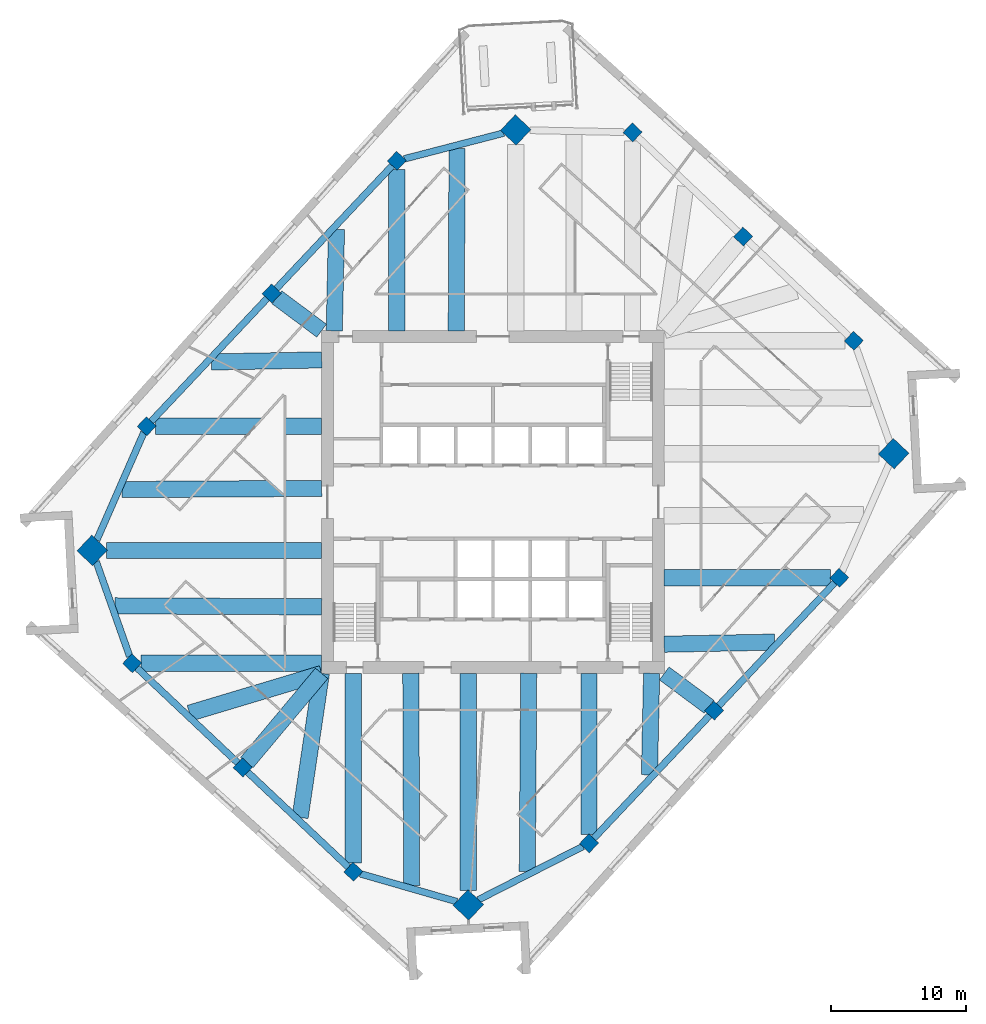
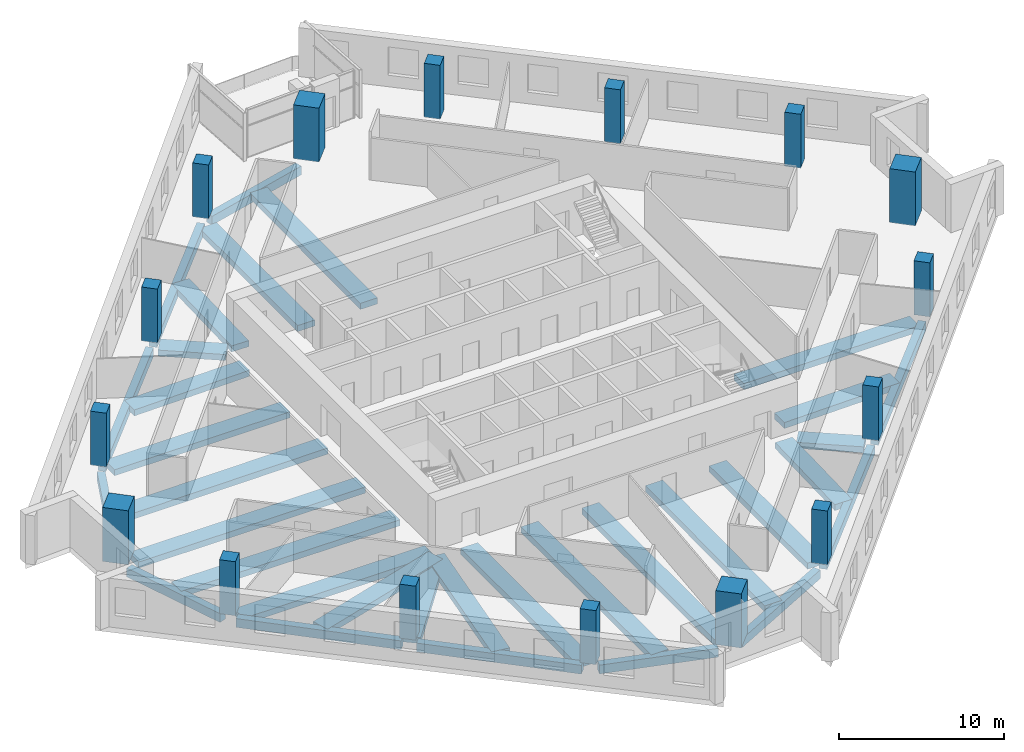
# One storey, part 1 of 12: 33 beams, 16 columns.
"""IFC4 building model written with IfcOpenShell, lengths in metres."""

from ifc_helpers import new_model, si_unit, direction, frame, origin, origin_2d, place, context, subcontext, project, spatial, rectangle, extrude, material, material_profile, profile_set, type_object, element, save


model = new_model("IFC4")

# Units and contexts
model_context = context("Model", 3, precision=1e-05, world=origin(), true_north=direction((0.0, 1.0)))
body_context = subcontext(model_context, "Body", "Model", "MODEL_VIEW")
ifc_project = project(units=[si_unit("LENGTHUNIT", "METRE"), si_unit("AREAUNIT", "SQUARE_METRE"), si_unit("VOLUMEUNIT", "CUBIC_METRE"), si_unit("PLANEANGLEUNIT", "RADIAN"), si_unit("MASSUNIT", "GRAM", prefix="KILO")], contexts=[model_context])

# Site, building, storey
site_placement = place(None, origin())
site = spatial("IfcSite", under=ifc_project, at=site_placement, CompositionType="ELEMENT")
building_placement = place(site_placement, origin())
building = spatial("IfcBuilding", under=site, at=building_placement, Name="Dilmun Exchange Tower", CompositionType="ELEMENT")
storey_placement = place(building_placement, frame((0.0, 0.0, 221.300048828125)))
storey = spatial("IfcBuildingStorey", under=building, at=storey_placement, Name="L52", CompositionType="ELEMENT", Elevation=221.300048828125)

# Columns
ifc_material_1 = material(Name="Concrete C60/75", Category="concrete")
ifc_material_profile_1 = material_profile(ifc_material_1, rectangle(XDim=1.60009765625, YDim=1.60009765625, at=origin_2d()), Name="1600 x 1600")
ifc_profile_set_1 = profile_set([ifc_material_profile_1], Name="Concrete C60/75")
column_type_1 = type_object("IfcColumnType", Name="RC mega column 1600 x 1600 C60/75", PredefinedType="COLUMN", material=ifc_profile_set_1)
for number, where, z_axis, x_axis, name in (
    (1, (1.68505859375, 27.5380859375, 0.0), (0.0, 0.0, 1.0), (0.685916152371, 0.727680583715, 0.0), "Mega column M1"),
    (2, (-29.658935546875, -3.58203125, 0.0), (0.0, 0.0, 1.0), (0.685916152371, 0.727680583715, 0.0), "Mega column M2"),
    (3, (-1.824951171875, -29.818115234375, 0.0), (0.0, 0.0, 1.0), (0.685916152371, 0.727680583715, 0.0), "Mega column M3"),
    (4, (29.658935546875, 3.58203125, 0.0), (0.0, 0.0, 1.0), (0.685916152371, 0.727680583715, 0.0), "Mega column M4"),
):
    element("IfcColumn", number, at=place(storey_placement, frame(where, z_axis=z_axis, x_axis=x_axis)), inside=storey, type_object=column_type_1, Name=name, PredefinedType="COLUMN", context=body_context, shape_type="SweptSolid", body=[
        extrude(rectangle(XDim=1.60009765625, YDim=1.60009765625, at=origin_2d()), origin(), (0.0, 0.0, 1.0), 4.0),
    ])
ifc_material_profile_2 = material_profile(ifc_material_1, rectangle(XDim=1.0, YDim=1.0, at=origin_2d()), Name="1000 x 1000")
ifc_profile_set_2 = profile_set([ifc_material_profile_2], Name="Concrete C60/75")
column_type_2 = type_object("IfcColumnType", Name="RC ring column 1000 x 1000 C60/75", PredefinedType="COLUMN", material=ifc_profile_set_2)
for number, where, z_axis, x_axis, name in (
    (5, (-7.113037109375, 25.257080078125, 0.0), (0.0, 0.0, 1.0), (0.685916152371, 0.727680583715, 0.0), "Ring column R01"),
    (6, (-16.373046875, 15.43310546875, 0.0), (0.0, 0.0, 1.0), (0.685916152371, 0.727680583715, 0.0), "Ring column R02"),
    (7, (-25.633056640625, 5.60888671875, 0.0), (0.0, 0.0, 1.0), (0.685916152371, 0.727680583715, 0.0), "Ring column R03"),
    (8, (-26.7060546875, -11.930908203125, 0.0), (0.0, 0.0, 1.0), (0.685916152371, 0.727680583715, 0.0), "Ring column R04"),
    (9, (-18.52001953125, -19.64697265625, 0.0), (0.0, 0.0, 1.0), (0.685916152371, 0.727680583715, 0.0), "Ring column R05"),
    (10, (-10.3330078125, -27.364013671875, 0.0), (0.0, 0.0, 1.0), (0.685916152371, 0.727680583715, 0.0), "Ring column R06"),
    (11, (7.113037109375, -25.257080078125, 0.0), (0.0, 0.0, 1.0), (0.685916152371, 0.727680583715, 0.0), "Ring column R07"),
    (12, (16.373046875, -15.43310546875, 0.0), (0.0, 0.0, 1.0), (0.685916152371, 0.727680583715, 0.0), "Ring column R08"),
    (13, (25.633056640625, -5.60888671875, 0.0), (0.0, 0.0, 1.0), (0.685916152371, 0.727680583715, 0.0), "Ring column R09"),
    (14, (26.7060546875, 11.930908203125, 0.0), (0.0, 0.0, 1.0), (0.685916152371, 0.727680583715, 0.0), "Ring column R10"),
    (15, (18.52001953125, 19.64697265625, 0.0), (0.0, 0.0, 1.0), (0.685916152371, 0.727680583715, 0.0), "Ring column R11"),
    (16, (10.3330078125, 27.364013671875, 0.0), (0.0, 0.0, 1.0), (0.685916152371, 0.727680583715, 0.0), "Ring column R12"),
):
    element("IfcColumn", number, at=place(storey_placement, frame(where, z_axis=z_axis, x_axis=x_axis)), inside=storey, type_object=column_type_2, Name=name, PredefinedType="COLUMN", context=body_context, shape_type="SweptSolid", body=[
        extrude(rectangle(XDim=1.0, YDim=1.0, at=origin_2d()), origin(), (0.0, 0.0, 1.0), 4.0),
    ])

# Beams
ifc_material_2 = material(Name="Concrete C40/50", Category="concrete")
ifc_material_profile_3 = material_profile(ifc_material_2, rectangle(XDim=1.199951171875, YDim=0.449951171875, at=origin_2d()), Name="1200 x 450")
ifc_profile_set_3 = profile_set([ifc_material_profile_3], Name="Concrete C40/50")
beam_type_1 = type_object("IfcBeamType", Name="RC band beam 1200 x 450 C40/50", PredefinedType="BEAM", material=ifc_profile_set_3)
beam_1_placement = place(storey_placement, frame((-7.113037109375, 24.596923828125, -0.705078125), z_axis=(0.0, -1.0, 0.0), x_axis=(1.0, 0.0, 0.0)))
element("IfcBeam", 17, at=beam_1_placement, inside=storey, type_object=beam_type_1, Name="Band beam 2", PredefinedType="BEAM", context=body_context, shape_type="SweptSolid", body=[
    extrude(rectangle(XDim=1.199951171875, YDim=0.449951171875, at=origin_2d()), origin(), (0.0, 0.0, 1.0), 11.923828125),
])
beam_2_placement = place(storey_placement, frame((-15.99072265625, 15.148681640625, -0.705078125), z_axis=(0.802264832552, -0.596968289317, 0.0), x_axis=(0.596968289317, 0.802264832552, 0.0)))
element("IfcBeam", 18, at=beam_2_placement, inside=storey, type_object=beam_type_1, Name="Band beam 3", PredefinedType="BEAM", context=body_context, shape_type="SweptSolid", body=[
    extrude(rectangle(XDim=1.199951171875, YDim=0.449951171875, at=origin_2d()), origin(), (0.0, 0.0, 1.0), 4.12890625),
])
beam_3_placement = place(storey_placement, frame((-24.972900390625, 5.60888671875, -0.705078125), z_axis=(1.0, 0.0, 0.0), x_axis=(0.0, 1.0, 0.0)))
element("IfcBeam", 19, at=beam_3_placement, inside=storey, type_object=beam_type_1, Name="Band beam 4", PredefinedType="BEAM", context=body_context, shape_type="SweptSolid", body=[
    extrude(rectangle(XDim=1.199951171875, YDim=0.449951171875, at=origin_2d()), origin(), (0.0, 0.0, 1.0), 12.2998046875),
])
beam_4_placement = place(storey_placement, frame((-28.586669921875, -3.58203125, -0.705078125), z_axis=(1.0, 0.0, 0.0), x_axis=(0.0, 1.0, 0.0)))
element("IfcBeam", 20, at=beam_4_placement, inside=storey, type_object=beam_type_1, Name="Band beam 5", PredefinedType="BEAM", context=body_context, shape_type="SweptSolid", body=[
    extrude(rectangle(XDim=1.199951171875, YDim=0.449951171875, at=origin_2d()), origin(), (0.0, 0.0, 1.0), 15.91357421875),
])
beam_5_placement = place(storey_placement, frame((-26.0458984375, -11.930908203125, -0.705078125), z_axis=(1.0, 0.0, 0.0), x_axis=(0.0, 1.0, 0.0)))
element("IfcBeam", 21, at=beam_5_placement, inside=storey, type_object=beam_type_1, Name="Band beam 6", PredefinedType="BEAM", context=body_context, shape_type="SweptSolid", body=[
    extrude(rectangle(XDim=1.199951171875, YDim=0.449951171875, at=origin_2d()), origin(), (0.0, 0.0, 1.0), 13.372802734375),
])
beam_6_placement = place(storey_placement, frame((-18.2158203125, -19.28369140625, -0.705078125), z_axis=(0.642200063897, 0.766537068856, 0.0), x_axis=(-0.766537068856, 0.642200063897, 0.0)))
element("IfcBeam", 22, at=beam_6_placement, inside=storey, type_object=beam_type_1, Name="Band beam 7", PredefinedType="BEAM", context=body_context, shape_type="SweptSolid", body=[
    extrude(rectangle(XDim=1.199951171875, YDim=0.449951171875, at=origin_2d()), origin(), (0.0, 0.0, 1.0), 8.615966796875),
])
beam_7_placement = place(storey_placement, frame((-10.3330078125, -26.703857421875, -0.705078125), z_axis=(0.0, 1.0, 0.0), x_axis=(-1.0, 0.0, 0.0)))
element("IfcBeam", 23, at=beam_7_placement, inside=storey, type_object=beam_type_1, Name="Band beam 8", PredefinedType="BEAM", context=body_context, shape_type="SweptSolid", body=[
    extrude(rectangle(XDim=1.199951171875, YDim=0.449951171875, at=origin_2d()), origin(), (0.0, 0.0, 1.0), 14.03076171875),
])
beam_8_placement = place(storey_placement, frame((-1.824951171875, -28.74560546875, -0.705078125), z_axis=(0.0, 1.0, 0.0), x_axis=(-1.0, 0.0, 0.0)))
element("IfcBeam", 24, at=beam_8_placement, inside=storey, type_object=beam_type_1, Name="Band beam 9", PredefinedType="BEAM", context=body_context, shape_type="SweptSolid", body=[
    extrude(rectangle(XDim=1.199951171875, YDim=0.449951171875, at=origin_2d()), origin(), (0.0, 0.0, 1.0), 16.072509765625),
])
beam_9_placement = place(storey_placement, frame((7.113037109375, -24.596923828125, -0.705078125), z_axis=(0.0, 1.0, 0.0), x_axis=(-1.0, 0.0, 0.0)))
element("IfcBeam", 25, at=beam_9_placement, inside=storey, type_object=beam_type_1, Name="Band beam 10", PredefinedType="BEAM", context=body_context, shape_type="SweptSolid", body=[
    extrude(rectangle(XDim=1.199951171875, YDim=0.449951171875, at=origin_2d()), origin(), (0.0, 0.0, 1.0), 11.923828125),
])
beam_10_placement = place(storey_placement, frame((15.99072265625, -15.148681640625, -0.705078125), z_axis=(-0.802264832552, 0.596968289317, 0.0), x_axis=(-0.596968289317, -0.802264832552, 0.0)))
element("IfcBeam", 26, at=beam_10_placement, inside=storey, type_object=beam_type_1, Name="Band beam 11", PredefinedType="BEAM", context=body_context, shape_type="SweptSolid", body=[
    extrude(rectangle(XDim=1.199951171875, YDim=0.449951171875, at=origin_2d()), origin(), (0.0, 0.0, 1.0), 4.12890625),
])
beam_11_placement = place(storey_placement, frame((24.972900390625, -5.60888671875, -0.705078125), z_axis=(-1.0, 0.0, 0.0), x_axis=(0.0, -1.0, 0.0)))
element("IfcBeam", 27, at=beam_11_placement, inside=storey, type_object=beam_type_1, Name="Band beam 12", PredefinedType="BEAM", context=body_context, shape_type="SweptSolid", body=[
    extrude(rectangle(XDim=1.199951171875, YDim=0.449951171875, at=origin_2d()), origin(), (0.0, 0.0, 1.0), 12.2998046875),
])
beam_12_placement = place(storey_placement, frame((-2.657958984375, 26.181640625, -0.60498046875), z_axis=(-0.004156765881, -0.999991360611, 0.0), x_axis=(0.999991360611, -0.004156765881, 0.0)))
element("IfcBeam", 28, at=beam_12_placement, inside=storey, type_object=beam_type_1, Name="Band beam 17", PredefinedType="BEAM", context=body_context, shape_type="SweptSolid", body=[
    extrude(rectangle(XDim=1.199951171875, YDim=0.449951171875, at=origin_2d()), origin(), (0.0, 0.0, 1.0), 13.508544921875),
])
beam_13_placement = place(storey_placement, frame((-11.580810546875, 20.19189453125, -0.60498046875), z_axis=(-0.021555532074, -0.999767652526, 0.0), x_axis=(0.999767652526, -0.021555532074, 0.0)))
element("IfcBeam", 29, at=beam_13_placement, inside=storey, type_object=beam_type_1, Name="Band beam 18", PredefinedType="BEAM", context=body_context, shape_type="SweptSolid", body=[
    extrude(rectangle(XDim=1.199951171875, YDim=0.449951171875, at=origin_2d()), origin(), (0.0, 0.0, 1.0), 7.5205078125),
])
beam_14_placement = place(storey_placement, frame((-20.8408203125, 10.367919921875, -0.60498046875), z_axis=(0.999824422594, 0.018738302585, 0.0), x_axis=(-0.018738302585, 0.999824422594, 0.0)))
element("IfcBeam", 30, at=beam_14_placement, inside=storey, type_object=beam_type_1, Name="Band beam 19", PredefinedType="BEAM", context=body_context, shape_type="SweptSolid", body=[
    extrude(rectangle(XDim=1.199951171875, YDim=0.449951171875, at=origin_2d()), origin(), (0.0, 0.0, 1.0), 8.169189453125),
])
beam_15_placement = place(storey_placement, frame((-27.441650390625, 0.924072265625, -0.60498046875), z_axis=(0.999981696912, 0.006050276087, 0.0), x_axis=(-0.006050276087, 0.999981696912, 0.0)))
element("IfcBeam", 31, at=beam_15_placement, inside=storey, type_object=beam_type_1, Name="Band beam 20", PredefinedType="BEAM", context=body_context, shape_type="SweptSolid", body=[
    extrude(rectangle(XDim=1.199951171875, YDim=0.449951171875, at=origin_2d()), origin(), (0.0, 0.0, 1.0), 14.768798828125),
])
beam_16_placement = place(storey_placement, frame((-27.972412109375, -7.68212890625, -0.60498046875), z_axis=(0.99998815601, -0.004867015408, 0.0), x_axis=(0.004867015408, 0.99998815601, 0.0)))
element("IfcBeam", 32, at=beam_16_placement, inside=storey, type_object=beam_type_1, Name="Band beam 21", PredefinedType="BEAM", context=body_context, shape_type="SweptSolid", body=[
    extrude(rectangle(XDim=1.199951171875, YDim=0.449951171875, at=origin_2d()), origin(), (0.0, 0.0, 1.0), 15.299560546875),
])
beam_17_placement = place(storey_placement, frame((-22.4599609375, -15.626708984375, -0.60498046875), z_axis=(0.957849959988, 0.287268957862, 0.0), x_axis=(-0.287268957862, 0.957849959988, 0.0)))
element("IfcBeam", 33, at=beam_17_placement, inside=storey, type_object=beam_type_1, Name="Band beam 22", PredefinedType="BEAM", context=body_context, shape_type="SweptSolid", body=[
    extrude(rectangle(XDim=1.199951171875, YDim=0.449951171875, at=origin_2d()), origin(), (0.0, 0.0, 1.0), 10.21630859375),
])
beam_18_placement = place(storey_placement, frame((-14.2734375, -23.34326171875, -0.60498046875), z_axis=(0.146268101323, 0.989244986106, 0.0), x_axis=(-0.989244986106, 0.146268101323, 0.0)))
element("IfcBeam", 34, at=beam_18_placement, inside=storey, type_object=beam_type_1, Name="Band beam 23", PredefinedType="BEAM", context=body_context, shape_type="SweptSolid", body=[
    extrude(rectangle(XDim=1.199951171875, YDim=0.449951171875, at=origin_2d()), origin(), (0.0, 0.0, 1.0), 10.785888671875),
])
beam_19_placement = place(storey_placement, frame((-6.01708984375, -28.376708984375, -0.60498046875), z_axis=(-0.003948851398, 0.999992203256, 0.0), x_axis=(-0.999992203256, -0.003948851398, 0.0)))
element("IfcBeam", 35, at=beam_19_placement, inside=storey, type_object=beam_type_1, Name="Band beam 24", PredefinedType="BEAM", context=body_context, shape_type="SweptSolid", body=[
    extrude(rectangle(XDim=1.199951171875, YDim=0.449951171875, at=origin_2d()), origin(), (0.0, 0.0, 1.0), 15.703857421875),
])
beam_20_placement = place(storey_placement, frame((2.54248046875, -27.3388671875, -0.60498046875), z_axis=(0.006924972536, 0.99997602209, 0.0), x_axis=(-0.99997602209, 0.006924972536, 0.0)))
element("IfcBeam", 36, at=beam_20_placement, inside=storey, type_object=beam_type_1, Name="Band beam 25", PredefinedType="BEAM", context=body_context, shape_type="SweptSolid", body=[
    extrude(rectangle(XDim=1.199951171875, YDim=0.449951171875, at=origin_2d()), origin(), (0.0, 0.0, 1.0), 14.666015625),
])
beam_21_placement = place(storey_placement, frame((11.580810546875, -20.19189453125, -0.60498046875), z_axis=(0.021555532074, 0.999767652526, 0.0), x_axis=(-0.999767652526, 0.021555532074, 0.0)))
element("IfcBeam", 37, at=beam_21_placement, inside=storey, type_object=beam_type_1, Name="Band beam 26", PredefinedType="BEAM", context=body_context, shape_type="SweptSolid", body=[
    extrude(rectangle(XDim=1.199951171875, YDim=0.449951171875, at=origin_2d()), origin(), (0.0, 0.0, 1.0), 7.5205078125),
])
beam_22_placement = place(storey_placement, frame((20.8408203125, -10.367919921875, -0.60498046875), z_axis=(-0.999824422594, -0.018738302585, 0.0), x_axis=(0.018738302585, -0.999824422594, 0.0)))
element("IfcBeam", 38, at=beam_22_placement, inside=storey, type_object=beam_type_1, Name="Band beam 27", PredefinedType="BEAM", context=body_context, shape_type="SweptSolid", body=[
    extrude(rectangle(XDim=1.199951171875, YDim=0.449951171875, at=origin_2d()), origin(), (0.0, 0.0, 1.0), 8.169189453125),
])
ifc_material_profile_4 = material_profile(ifc_material_2, rectangle(XDim=0.5, YDim=0.64990234375, at=origin_2d()), Name="500 x 650")
ifc_profile_set_4 = profile_set([ifc_material_profile_4], Name="Concrete C40/50")
beam_type_2 = type_object("IfcBeamType", Name="RC ring beam 500 x 650 C40/50", PredefinedType="SPANDREL", material=ifc_profile_set_4)
beam_23_placement = place(storey_placement, frame((0.79638671875, 27.3076171875, -0.705078125), z_axis=(-0.967995165605, -0.250968841424, 0.0), x_axis=(0.250968841424, -0.967995165605, 0.0)))
element("IfcBeam", 39, at=beam_23_placement, inside=storey, type_object=beam_type_2, Name="Ring beam 1", PredefinedType="SPANDREL", context=body_context, shape_type="SweptSolid", body=[
    extrude(rectangle(XDim=0.5, YDim=0.64990234375, at=origin_2d()), origin(), (0.0, 0.0, 1.0), 7.607177734375),
])
for number, where, z_axis, x_axis, name in (
    (40, (-7.4375, 24.912841796875, -0.705078125), (-0.685902559512, -0.727693396188, 0.0), (0.727693396188, -0.685902559512, 0.0), "Ring beam 2"),
    (41, (-16.697509765625, 15.0888671875, -0.705078125), (-0.685902559512, -0.727693396188, 0.0), (0.727693396188, -0.685902559512, 0.0), "Ring beam 3"),
):
    element("IfcBeam", number, at=place(storey_placement, frame(where, z_axis=z_axis, x_axis=x_axis)), inside=storey, type_object=beam_type_2, Name=name, PredefinedType="SPANDREL", context=body_context, shape_type="SweptSolid", body=[
        extrude(rectangle(XDim=0.5, YDim=0.64990234375, at=origin_2d()), origin(), (0.0, 0.0, 1.0), 12.554443359375),
    ])
beam_24_placement = place(storey_placement, frame((-25.835205078125, 5.1474609375, -0.705078125), z_axis=(-0.401239440722, -0.915973204416, 0.0), x_axis=(0.915973204416, -0.401239440722, 0.0)))
element("IfcBeam", 42, at=beam_24_placement, inside=storey, type_object=beam_type_2, Name="Ring beam 4", PredefinedType="SPANDREL", context=body_context, shape_type="SweptSolid", body=[
    extrude(rectangle(XDim=0.5, YDim=0.64990234375, at=origin_2d()), origin(), (0.0, 0.0, 1.0), 8.707763671875),
])
beam_25_placement = place(storey_placement, frame((-29.367919921875, -4.404541015625, -0.705078125), z_axis=(0.333423578623, -0.942777130195, 0.0), x_axis=(0.942777130195, 0.333423578623, 0.0)))
element("IfcBeam", 43, at=beam_25_placement, inside=storey, type_object=beam_type_2, Name="Ring beam 5", PredefinedType="SPANDREL", context=body_context, shape_type="SweptSolid", body=[
    extrude(rectangle(XDim=0.5, YDim=0.64990234375, at=origin_2d()), origin(), (0.0, 0.0, 1.0), 7.4482421875),
])
beam_26_placement = place(storey_placement, frame((-26.36181640625, -12.25537109375, -0.705078125), z_axis=(0.727685706374, -0.68591071776, 0.0), x_axis=(0.68591071776, 0.727685706374, 0.0)))
element("IfcBeam", 44, at=beam_26_placement, inside=storey, type_object=beam_type_2, Name="Ring beam 6", PredefinedType="SPANDREL", context=body_context, shape_type="SweptSolid", body=[
    extrude(rectangle(XDim=0.5, YDim=0.64990234375, at=origin_2d()), origin(), (0.0, 0.0, 1.0), 10.30322265625),
])
beam_27_placement = place(storey_placement, frame((-18.17578125, -19.971435546875, -0.705078125), z_axis=(0.727682990869, -0.685913598641, 0.0), x_axis=(0.685913598641, 0.727682990869, 0.0)))
element("IfcBeam", 45, at=beam_27_placement, inside=storey, type_object=beam_type_2, Name="Ring beam 7", PredefinedType="SPANDREL", context=body_context, shape_type="SweptSolid", body=[
    extrude(rectangle(XDim=0.5, YDim=0.64990234375, at=origin_2d()), origin(), (0.0, 0.0, 1.0), 10.3046875),
])
beam_28_placement = place(storey_placement, frame((-9.818603515625, -27.51220703125, -0.705078125), z_axis=(0.960825605861, -0.277153666983, 0.0), x_axis=(0.277153666983, 0.960825605861, 0.0)))
element("IfcBeam", 46, at=beam_28_placement, inside=storey, type_object=beam_type_2, Name="Ring beam 8", PredefinedType="SPANDREL", context=body_context, shape_type="SweptSolid", body=[
    extrude(rectangle(XDim=0.5, YDim=0.64990234375, at=origin_2d()), origin(), (0.0, 0.0, 1.0), 7.447021484375),
])
beam_29_placement = place(storey_placement, frame((-1.09228515625, -29.444091796875, -0.705078125), z_axis=(0.89072990219, 0.454532992581, 0.0), x_axis=(-0.454532992581, 0.89072990219, 0.0)))
element("IfcBeam", 47, at=beam_29_placement, inside=storey, type_object=beam_type_2, Name="Ring beam 9", PredefinedType="SPANDREL", context=body_context, shape_type="SweptSolid", body=[
    extrude(rectangle(XDim=0.5, YDim=0.64990234375, at=origin_2d()), origin(), (0.0, 0.0, 1.0), 8.707763671875),
])
for number, where, z_axis, x_axis, name in (
    (48, (7.4375, -24.912841796875, -0.705078125), (0.685902559512, 0.727693396188, 0.0), (-0.727693396188, 0.685902559512, 0.0), "Ring beam 10"),
    (49, (16.697509765625, -15.0888671875, -0.705078125), (0.685902559512, 0.727693396188, 0.0), (-0.727693396188, 0.685902559512, 0.0), "Ring beam 11"),
):
    element("IfcBeam", number, at=place(storey_placement, frame(where, z_axis=z_axis, x_axis=x_axis)), inside=storey, type_object=beam_type_2, Name=name, PredefinedType="SPANDREL", context=body_context, shape_type="SweptSolid", body=[
        extrude(rectangle(XDim=0.5, YDim=0.64990234375, at=origin_2d()), origin(), (0.0, 0.0, 1.0), 12.554443359375),
    ])

save(model, "model.ifc")
